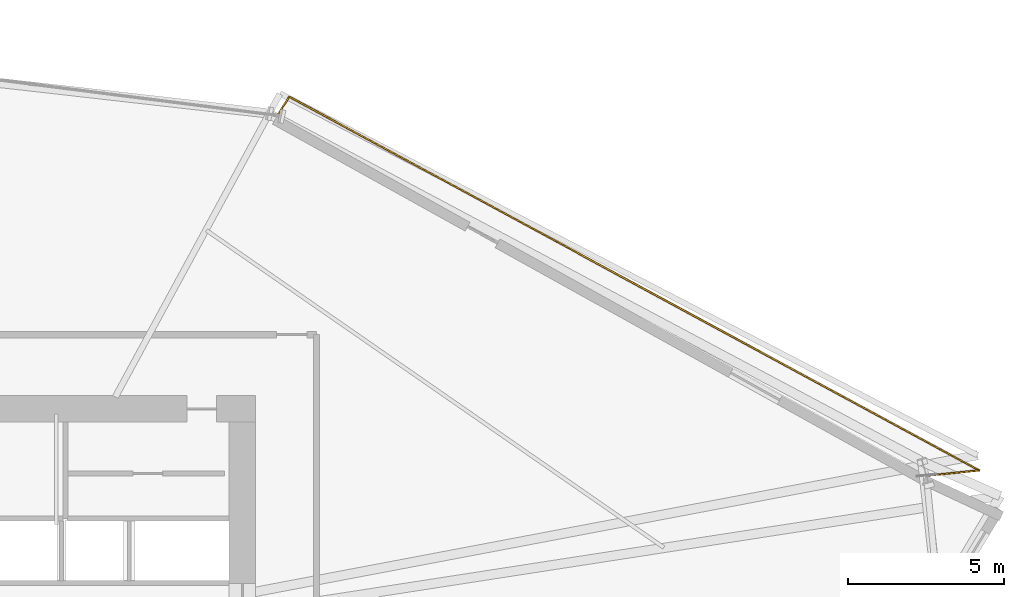
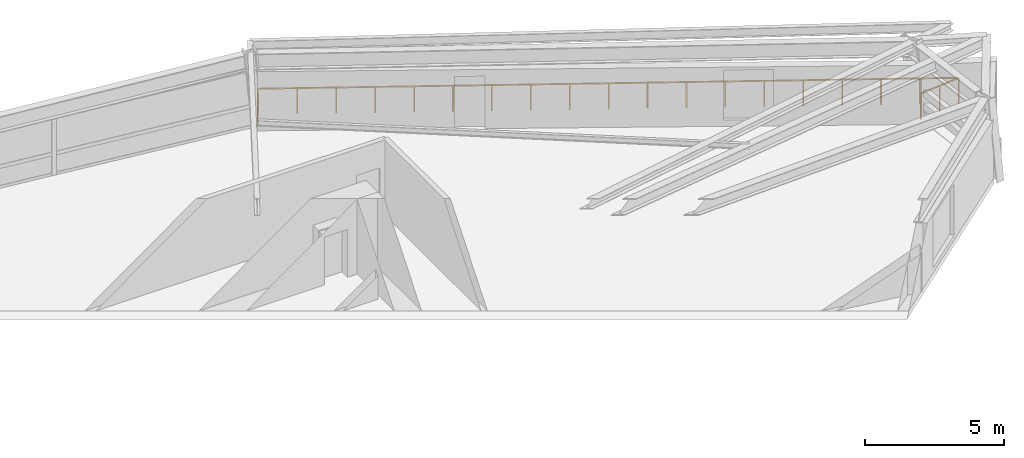
# One storey, part 22 of 22: 1 railing.
"""IFC4 building model written with IfcOpenShell, lengths in metres."""

from ifc_helpers import new_model, si_unit, direction, frame, origin, origin_2d, place, context, subcontext, project, spatial, rectangle, extrude, material, type_object, element, save


model = new_model("IFC4")

# Units and contexts
model_context = context("Model", 3, precision=1e-05, world=origin(), true_north=direction((0.0, 1.0)))
body_context = subcontext(model_context, "Body", "Model", "MODEL_VIEW")
ifc_project = project(units=[si_unit("LENGTHUNIT", "METRE"), si_unit("AREAUNIT", "SQUARE_METRE"), si_unit("VOLUMEUNIT", "CUBIC_METRE"), si_unit("PLANEANGLEUNIT", "RADIAN"), si_unit("MASSUNIT", "GRAM", prefix="KILO")], contexts=[model_context])

# Site, building, storey
site_placement = place(None, origin())
site = spatial("IfcSite", under=ifc_project, at=site_placement, CompositionType="ELEMENT")
building_placement = place(site_placement, origin())
building = spatial("IfcBuilding", under=site, at=building_placement, Name="Olszyna Solenne Hotel", CompositionType="ELEMENT")
storey_placement = place(building_placement, frame((0.0, 0.0, 57.699951171875)))
storey = spatial("IfcBuildingStorey", under=building, at=storey_placement, Name="L14", CompositionType="ELEMENT", Elevation=57.699951171875)

# Railing
ifc_material = material(Name="Anodised bronze aluminium", Category="aluminium")
railing_type = type_object("IfcRailingType", Name="GR-110", PredefinedType="BALUSTRADE", material=ifc_material)
railing_placement = place(storey_placement, frame((68.25634765625, 31.97900390625, 0.0)))
element("IfcRailing", 1, at=railing_placement, inside=storey, type_object=railing_type, Name="Loggia balcony balustrade guard GR-L14-LG1", PredefinedType="BALUSTRADE", context=body_context, shape_type="SweptSolid", body=[
    extrude(rectangle(XDim=0.048095703125, YDim=0.048095703125, at=origin_2d()), frame((0.0, 0.0, 1.1259765625), z_axis=(0.994840980798, 0.101446650638, 0.0), x_axis=(-0.101446650638, 0.994840980798, 0.0)), (0.0, 0.0, 1.0), 1.69189453125),
    extrude(rectangle(XDim=0.048095703125, YDim=0.048095703125, at=origin_2d()), frame((1.68310546875, 0.171630859375, 1.1259765625), z_axis=(-0.879265030858, 0.47633287259, 0.0), x_axis=(-0.47633287259, -0.879265030858, 0.0)), (0.0, 0.0, 1.0), 25.14892578125),
    extrude(rectangle(XDim=0.048095703125, YDim=0.048095703125, at=origin_2d()), frame((-20.429443359375, 12.15087890625, 1.1259765625), z_axis=(-0.536452112328, -0.843930762077, 0.0), x_axis=(0.843930762077, -0.536452112328, 0.0)), (0.0, 0.0, 1.0), 0.708984375),
    extrude(rectangle(XDim=0.0419921875, YDim=0.0419921875, at=origin_2d()), origin(), (0.0, 0.0, 1.0), 1.101806640625),
    extrude(rectangle(XDim=0.0419921875, YDim=0.0419921875, at=origin_2d()), frame((0.841552734375, 0.0859375, 0.0)), (0.0, 0.0, 1.0), 1.101806640625),
    extrude(rectangle(XDim=0.0419921875, YDim=0.0419921875, at=origin_2d()), frame((1.68310546875, 0.171630859375, 0.0)), (0.0, 0.0, 1.0), 1.101806640625),
    extrude(rectangle(XDim=0.0419921875, YDim=0.0419921875, at=origin_2d()), frame((0.45458984375, 0.837158203125, 0.0)), (0.0, 0.0, 1.0), 1.101806640625),
    extrude(rectangle(XDim=0.0419921875, YDim=0.0419921875, at=origin_2d()), frame((-0.77392578125, 1.502685546875, 0.0)), (0.0, 0.0, 1.0), 1.101806640625),
    extrude(rectangle(XDim=0.0419921875, YDim=0.0419921875, at=origin_2d()), frame((-2.00244140625, 2.168212890625, 0.0)), (0.0, 0.0, 1.0), 1.101806640625),
    extrude(rectangle(XDim=0.0419921875, YDim=0.0419921875, at=origin_2d()), frame((-3.230712890625, 2.833740234375, 0.0)), (0.0, 0.0, 1.0), 1.101806640625),
    extrude(rectangle(XDim=0.0419921875, YDim=0.0419921875, at=origin_2d()), frame((-4.459228515625, 3.499267578125, 0.0)), (0.0, 0.0, 1.0), 1.101806640625),
    extrude(rectangle(XDim=0.0419921875, YDim=0.0419921875, at=origin_2d()), frame((-5.687744140625, 4.164794921875, 0.0)), (0.0, 0.0, 1.0), 1.101806640625),
    extrude(rectangle(XDim=0.0419921875, YDim=0.0419921875, at=origin_2d()), frame((-6.916259765625, 4.830322265625, 0.0)), (0.0, 0.0, 1.0), 1.101806640625),
    extrude(rectangle(XDim=0.0419921875, YDim=0.0419921875, at=origin_2d()), frame((-8.144775390625, 5.495849609375, 0.0)), (0.0, 0.0, 1.0), 1.101806640625),
    extrude(rectangle(XDim=0.0419921875, YDim=0.0419921875, at=origin_2d()), frame((-9.373046875, 6.1611328125, 0.0)), (0.0, 0.0, 1.0), 1.101806640625),
    extrude(rectangle(XDim=0.0419921875, YDim=0.0419921875, at=origin_2d()), frame((-10.6015625, 6.82666015625, 0.0)), (0.0, 0.0, 1.0), 1.101806640625),
    extrude(rectangle(XDim=0.0419921875, YDim=0.0419921875, at=origin_2d()), frame((-11.830078125, 7.4921875, 0.0)), (0.0, 0.0, 1.0), 1.101806640625),
    extrude(rectangle(XDim=0.0419921875, YDim=0.0419921875, at=origin_2d()), frame((-13.05859375, 8.15771484375, 0.0)), (0.0, 0.0, 1.0), 1.101806640625),
    extrude(rectangle(XDim=0.0419921875, YDim=0.0419921875, at=origin_2d()), frame((-14.287109375, 8.8232421875, 0.0)), (0.0, 0.0, 1.0), 1.101806640625),
    extrude(rectangle(XDim=0.0419921875, YDim=0.0419921875, at=origin_2d()), frame((-15.515625, 9.48876953125, 0.0)), (0.0, 0.0, 1.0), 1.101806640625),
    extrude(rectangle(XDim=0.0419921875, YDim=0.0419921875, at=origin_2d()), frame((-16.744140625, 10.154296875, 0.0)), (0.0, 0.0, 1.0), 1.101806640625),
    extrude(rectangle(XDim=0.0419921875, YDim=0.0419921875, at=origin_2d()), frame((-17.972412109375, 10.81982421875, 0.0)), (0.0, 0.0, 1.0), 1.101806640625),
    extrude(rectangle(XDim=0.0419921875, YDim=0.0419921875, at=origin_2d()), frame((-19.200927734375, 11.4853515625, 0.0)), (0.0, 0.0, 1.0), 1.101806640625),
    extrude(rectangle(XDim=0.0419921875, YDim=0.0419921875, at=origin_2d()), frame((-20.429443359375, 12.15087890625, 0.0)), (0.0, 0.0, 1.0), 1.101806640625),
    extrude(rectangle(XDim=0.0419921875, YDim=0.0419921875, at=origin_2d()), frame((-20.809814453125, 11.552490234375, 0.0)), (0.0, 0.0, 1.0), 1.101806640625),
])

save(model, "model.ifc")
